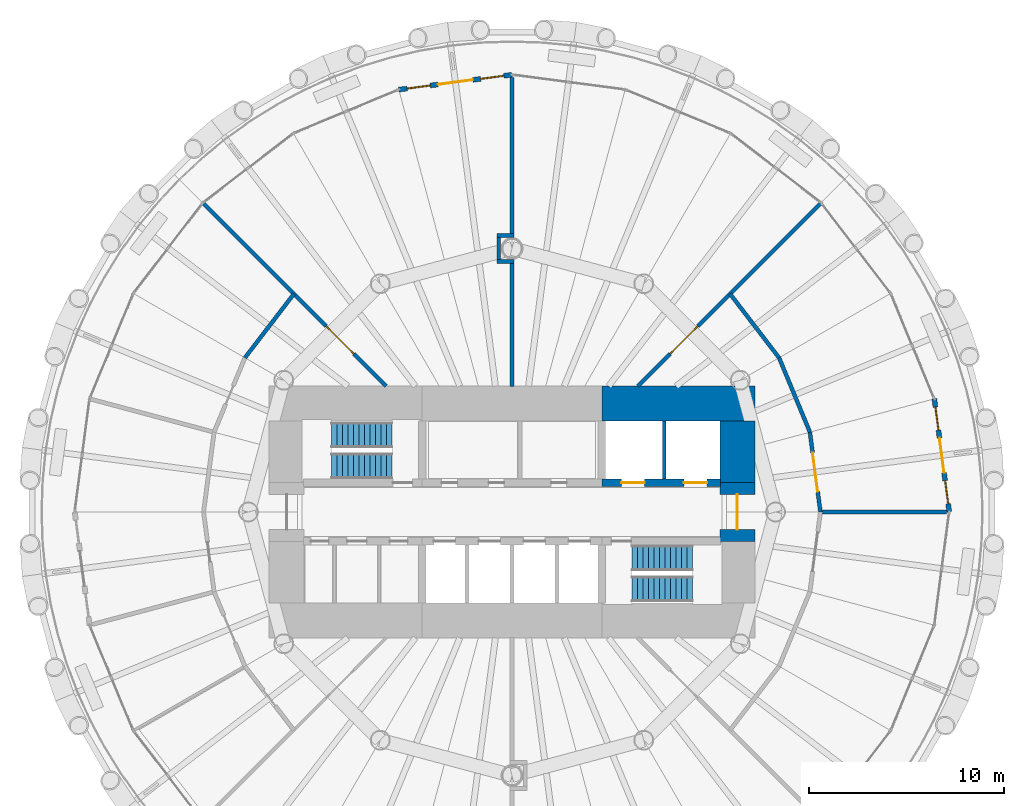
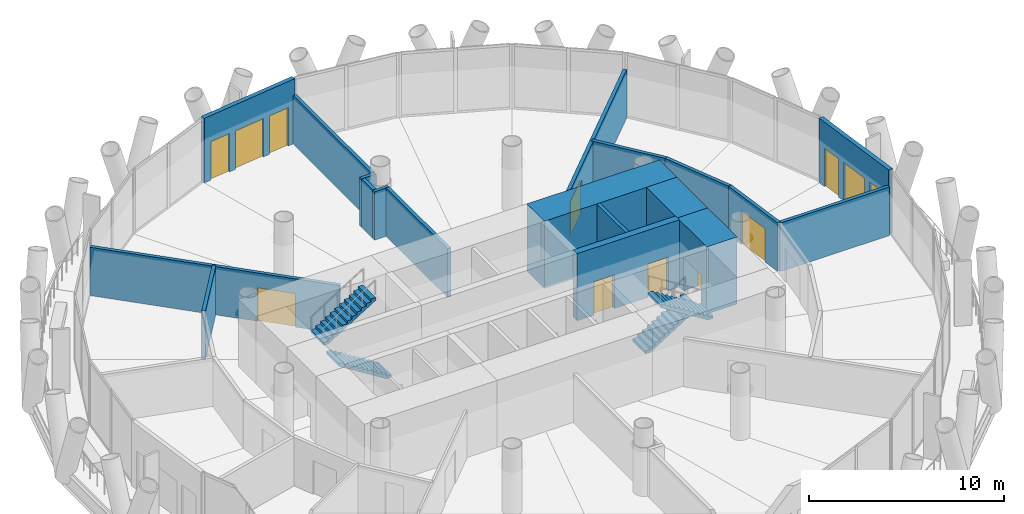
# One storey, part 10 of 14: 19 walls, 8 doors, 4 stair flights, 4 windows, 12 openings, 2 elements without a shape of their own.
"""IFC4 building model written with IfcOpenShell, lengths in metres."""

from ifc_helpers import new_model, si_unit, direction, frame, frame_2d, origin, place, context, subcontext, project, spatial, polyline, rectangle, outline, extrude, material, layer, layer_set, type_object, element, fill, aggregate, save


model = new_model("IFC4")

# Units and contexts
model_context = context("Model", 3, precision=1e-05, world=origin(), true_north=direction((0.0, 1.0)))
body_context = subcontext(model_context, "Body", "Model", "MODEL_VIEW")
ifc_project = project(units=[si_unit("LENGTHUNIT", "METRE"), si_unit("AREAUNIT", "SQUARE_METRE"), si_unit("VOLUMEUNIT", "CUBIC_METRE"), si_unit("PLANEANGLEUNIT", "RADIAN"), si_unit("MASSUNIT", "GRAM", prefix="KILO")], contexts=[model_context])

# Site, building, storey
site_placement = place(None, origin())
site = spatial("IfcSite", under=ifc_project, at=site_placement, CompositionType="ELEMENT")
building_placement = place(site_placement, origin())
building = spatial("IfcBuilding", under=site, at=building_placement, Name="Qaws Media Tower", CompositionType="ELEMENT")
storey_placement = place(building_placement, frame((0.0, 0.0, 152.0)))
storey = spatial("IfcBuildingStorey", under=building, at=storey_placement, Name="L34", CompositionType="ELEMENT", Elevation=152.0)

# Wall, openings, door, windows
ifc_material_1 = material(Name="Precast concrete, exposed finish", Category="concrete")
ifc_layer_1 = layer(ifc_material_1, 0.25)
ifc_layer_set_1 = layer_set([ifc_layer_1], Name="Balcony door wall 250")
wall_type_1 = type_object("IfcWallType", Name="Balcony door wall 250", PredefinedType="SOLIDWALL", material=ifc_layer_set_1)
wall_1_placement = place(storey_placement, frame((82.39990234375, 50.0, 0.0), z_axis=(0.0, 0.0, 1.0), x_axis=(-0.130511752182, 0.991446762334, 0.0)))
wall_1 = element("IfcWall", 1, at=wall_1_placement, inside=storey, type_object=wall_type_1, Name="W201 EW1 balcony door wall L34-01", PredefinedType="SOLIDWALL", context=body_context, shape_type="SweptSolid", body=[
    extrude(rectangle(XDim=5.84765625, YDim=0.25, at=frame_2d((2.923828125, 0.0))), origin(), (0.0, 0.0, 1.0), 4.0400390625),
])
opening_1_placement = place(wall_1_placement, frame((2.023681640625, 0.0, 0.0)))
opening_1 = element("IfcOpeningElement", 2, at=opening_1_placement, cuts=wall_1, Name="Opening D7", PredefinedType="OPENING", context=body_context, shape_type="SweptSolid", body=[
    extrude(rectangle(XDim=1.800048828125, YDim=2.39990234375, at=frame_2d((0.89990234375, 1.199951171875))), frame((0.0, 0.135009765625, 0.0), z_axis=(0.0, -1.0, 0.0), x_axis=(1.0, 0.0, 0.0)), (0.0, 0.0, 1.0), 0.27001953125),
])
opening_2_placement = place(wall_1_placement, frame((0.423828125, 0.0, 0.0)))
opening_2 = element("IfcOpeningElement", 3, at=opening_2_placement, cuts=wall_1, Name="Opening W1", PredefinedType="OPENING", context=body_context, shape_type="SweptSolid", body=[
    extrude(rectangle(XDim=1.199951171875, YDim=2.39990234375, at=frame_2d((0.60009765625, 1.199951171875))), frame((0.0, 0.135009765625, 0.0), z_axis=(0.0, -1.0, 0.0), x_axis=(1.0, 0.0, 0.0)), (0.0, 0.0, 1.0), 0.27001953125),
])
opening_3_placement = place(wall_1_placement, frame((4.223876953125, 0.0, 0.0)))
opening_3 = element("IfcOpeningElement", 4, at=opening_3_placement, cuts=wall_1, Name="Opening W1", PredefinedType="OPENING", context=body_context, shape_type="SweptSolid", body=[
    extrude(rectangle(XDim=1.199951171875, YDim=2.39990234375, at=frame_2d((0.60009765625, 1.199951171875))), frame((0.0, 0.135009765625, 0.0), z_axis=(0.0, -1.0, 0.0), x_axis=(1.0, 0.0, 0.0)), (0.0, 0.0, 1.0), 0.27001953125),
])
ifc_material_2 = material(Name="Aluminium and clear glass", Category="aluminium")
door_type_1 = type_object("IfcDoorType", Name="Balcony door pair 1800", OperationType="DOUBLE_DOOR_SLIDING", PredefinedType="DOOR", material=ifc_material_2)
door_1_placement = place(opening_1_placement, origin())
door_1 = element("IfcDoor", 5, at=door_1_placement, inside=storey, type_object=door_type_1, Name="D7 balcony door L34-01 in wall W201", OperationType="DOUBLE_DOOR_SLIDING", OverallHeight=2.39990234375, OverallWidth=1.800048828125, PredefinedType="DOOR", context=body_context, shape_type="SweptSolid", body=[
    extrude(rectangle(XDim=1.800048828125, YDim=2.39990234375, at=frame_2d((0.89990234375, 1.199951171875))), frame((0.0, 0.02490234375, 0.0), z_axis=(0.0, -1.0, 0.0), x_axis=(1.0, 0.0, 0.0)), (0.0, 0.0, 1.0), 0.050048828125),
])
fill(opening_1, door_1)
ifc_material_3 = material(Name="Aluminium and clear glass", Category="aluminium")
window_type = type_object("IfcWindowType", Name="Balcony side window 1200", PartitioningType="SINGLE_PANEL", PredefinedType="WINDOW", material=ifc_material_3)
window_1_placement = place(opening_2_placement, origin())
window_1 = element("IfcWindow", 6, at=window_1_placement, inside=storey, type_object=window_type, Name="W1 balcony side light L34-01L", OverallHeight=2.39990234375, OverallWidth=1.199951171875, PartitioningType="SINGLE_PANEL", PredefinedType="WINDOW", context=body_context, shape_type="SweptSolid", body=[
    extrude(rectangle(XDim=1.199951171875, YDim=2.39990234375, at=frame_2d((0.60009765625, 1.199951171875))), frame((0.0, 0.030029296875, 0.0), z_axis=(0.0, -1.0, 0.0), x_axis=(1.0, 0.0, 0.0)), (0.0, 0.0, 1.0), 0.06005859375),
])
fill(opening_2, window_1)
window_2_placement = place(opening_3_placement, origin())
window_2 = element("IfcWindow", 7, at=window_2_placement, inside=storey, type_object=window_type, Name="W1 balcony side light L34-01R", OverallHeight=2.39990234375, OverallWidth=1.199951171875, PartitioningType="SINGLE_PANEL", PredefinedType="WINDOW", context=body_context, shape_type="SweptSolid", body=[
    extrude(rectangle(XDim=1.199951171875, YDim=2.39990234375, at=frame_2d((0.60009765625, 1.199951171875))), frame((0.0, 0.030029296875, 0.0), z_axis=(0.0, -1.0, 0.0), x_axis=(1.0, 0.0, 0.0)), (0.0, 0.0, 1.0), 0.06005859375),
])
fill(opening_3, window_2)

wall_2_placement = place(storey_placement, frame((60.0, 72.39990234375, 0.0), z_axis=(0.0, 0.0, 1.0), x_axis=(-0.991446762334, -0.130511752182, 0.0)))
wall_2 = element("IfcWall", 8, at=wall_2_placement, inside=storey, type_object=wall_type_1, Name="W200 EW1 balcony door wall L34-07", PredefinedType="SOLIDWALL", context=body_context, shape_type="SweptSolid", body=[
    extrude(rectangle(XDim=5.84765625, YDim=0.25, at=frame_2d((2.923828125, 0.0))), origin(), (0.0, 0.0, 1.0), 4.0400390625),
])
opening_4_placement = place(wall_2_placement, frame((2.023681640625, 0.0, 0.0)))
opening_4 = element("IfcOpeningElement", 9, at=opening_4_placement, cuts=wall_2, Name="Opening D7", PredefinedType="OPENING", context=body_context, shape_type="SweptSolid", body=[
    extrude(rectangle(XDim=1.800048828125, YDim=2.39990234375, at=frame_2d((0.89990234375, 1.199951171875))), frame((0.0, 0.135009765625, 0.0), z_axis=(0.0, -1.0, 0.0), x_axis=(1.0, 0.0, 0.0)), (0.0, 0.0, 1.0), 0.27001953125),
])
opening_5_placement = place(wall_2_placement, frame((0.423828125, 0.0, 0.0)))
opening_5 = element("IfcOpeningElement", 10, at=opening_5_placement, cuts=wall_2, Name="Opening W1", PredefinedType="OPENING", context=body_context, shape_type="SweptSolid", body=[
    extrude(rectangle(XDim=1.199951171875, YDim=2.39990234375, at=frame_2d((0.60009765625, 1.199951171875))), frame((0.0, 0.135009765625, 0.0), z_axis=(0.0, -1.0, 0.0), x_axis=(1.0, 0.0, 0.0)), (0.0, 0.0, 1.0), 0.27001953125),
])
opening_6_placement = place(wall_2_placement, frame((4.223876953125, 0.0, 0.0)))
opening_6 = element("IfcOpeningElement", 11, at=opening_6_placement, cuts=wall_2, Name="Opening W1", PredefinedType="OPENING", context=body_context, shape_type="SweptSolid", body=[
    extrude(rectangle(XDim=1.199951171875, YDim=2.39990234375, at=frame_2d((0.60009765625, 1.199951171875))), frame((0.0, 0.135009765625, 0.0), z_axis=(0.0, -1.0, 0.0), x_axis=(1.0, 0.0, 0.0)), (0.0, 0.0, 1.0), 0.27001953125),
])
door_2_placement = place(opening_4_placement, origin())
door_2 = element("IfcDoor", 12, at=door_2_placement, inside=storey, type_object=door_type_1, Name="D7 balcony door L34-07 in wall W200", OperationType="DOUBLE_DOOR_SLIDING", OverallHeight=2.39990234375, OverallWidth=1.800048828125, PredefinedType="DOOR", context=body_context, shape_type="SweptSolid", body=[
    extrude(rectangle(XDim=1.800048828125, YDim=2.39990234375, at=frame_2d((0.89990234375, 1.199951171875))), frame((0.0, 0.02490234375, 0.0), z_axis=(0.0, -1.0, 0.0), x_axis=(1.0, 0.0, 0.0)), (0.0, 0.0, 1.0), 0.050048828125),
])
fill(opening_4, door_2)
window_3_placement = place(opening_5_placement, origin())
window_3 = element("IfcWindow", 13, at=window_3_placement, inside=storey, type_object=window_type, Name="W1 balcony side light L34-07L", OverallHeight=2.39990234375, OverallWidth=1.199951171875, PartitioningType="SINGLE_PANEL", PredefinedType="WINDOW", context=body_context, shape_type="SweptSolid", body=[
    extrude(rectangle(XDim=1.199951171875, YDim=2.39990234375, at=frame_2d((0.60009765625, 1.199951171875))), frame((0.0, 0.030029296875, 0.0), z_axis=(0.0, -1.0, 0.0), x_axis=(1.0, 0.0, 0.0)), (0.0, 0.0, 1.0), 0.06005859375),
])
fill(opening_5, window_3)
window_4_placement = place(opening_6_placement, origin())
window_4 = element("IfcWindow", 14, at=window_4_placement, inside=storey, type_object=window_type, Name="W1 balcony side light L34-07R", OverallHeight=2.39990234375, OverallWidth=1.199951171875, PartitioningType="SINGLE_PANEL", PredefinedType="WINDOW", context=body_context, shape_type="SweptSolid", body=[
    extrude(rectangle(XDim=1.199951171875, YDim=2.39990234375, at=frame_2d((0.60009765625, 1.199951171875))), frame((0.0, 0.030029296875, 0.0), z_axis=(0.0, -1.0, 0.0), x_axis=(1.0, 0.0, 0.0)), (0.0, 0.0, 1.0), 0.06005859375),
])
fill(opening_6, window_4)

# Wall, openings, doors
ifc_material_4 = material(Name="Concrete C60/75", Category="concrete")
ifc_layer_2 = layer(ifc_material_4, 0.39990234375)
ifc_layer_set_2 = layer_set([ifc_layer_2], Name="Core inner wall 400")
wall_type_2 = type_object("IfcWallType", Name="Core inner wall 400", PredefinedType="SHEAR", material=ifc_layer_set_2)
wall_3_placement = place(storey_placement, frame((64.60009765625, 51.5, 0.0), z_axis=(0.0, 0.0, 1.0), x_axis=(1.0, 0.0, 0.0)))
wall_3 = element("IfcWall", 15, at=wall_3_placement, inside=storey, type_object=wall_type_2, Name="W326 SW4 core wall SPNE L34", PredefinedType="SHEAR", context=body_context, shape_type="SweptSolid", body=[
    extrude(rectangle(XDim=6.06982421875, YDim=0.39990234375, at=frame_2d((3.034912109375, 0.0))), origin(), (0.0, 0.0, 1.0), 4.199951171875),
])
opening_7_placement = place(wall_3_placement, frame((1.0, 0.0, 0.0)))
opening_7 = element("IfcOpeningElement", 16, at=opening_7_placement, cuts=wall_3, Name="Opening LD2", PredefinedType="OPENING", context=body_context, shape_type="SweptSolid", body=[
    extrude(rectangle(XDim=1.199951171875, YDim=2.10009765625, at=frame_2d((0.60009765625, 1.050048828125))), frame((0.0, 0.2099609375, 0.0), z_axis=(0.0, -1.0, 0.0), x_axis=(1.0, 0.0, 0.0)), (0.0, 0.0, 1.0), 0.419921875),
])
opening_8_placement = place(wall_3_placement, frame((4.199951171875, 0.0, 0.0)))
opening_8 = element("IfcOpeningElement", 17, at=opening_8_placement, cuts=wall_3, Name="Opening LD2", PredefinedType="OPENING", context=body_context, shape_type="SweptSolid", body=[
    extrude(rectangle(XDim=1.199951171875, YDim=2.10009765625, at=frame_2d((0.60009765625, 1.050048828125))), frame((0.0, 0.2099609375, 0.0), z_axis=(0.0, -1.0, 0.0), x_axis=(1.0, 0.0, 0.0)), (0.0, 0.0, 1.0), 0.419921875),
])
ifc_material_5 = material(Name="Steel, fire rated", Category="steel")
door_type_2 = type_object("IfcDoorType", Name="Lift landing door 1200", OperationType="SLIDING_TO_LEFT", PredefinedType="DOOR", material=ifc_material_5)
door_3_placement = place(opening_7_placement, origin())
door_3 = element("IfcDoor", 18, at=door_3_placement, inside=storey, type_object=door_type_2, Name="FL1 landing door L34 in wall W326", OperationType="SLIDING_TO_LEFT", OverallHeight=2.10009765625, OverallWidth=1.199951171875, PredefinedType="DOOR", context=body_context, shape_type="SweptSolid", body=[
    extrude(rectangle(XDim=1.199951171875, YDim=2.10009765625, at=frame_2d((0.60009765625, 1.050048828125))), frame((0.0, 0.02490234375, 0.0), z_axis=(0.0, -1.0, 0.0), x_axis=(1.0, 0.0, 0.0)), (0.0, 0.0, 1.0), 0.050048828125),
])
fill(opening_7, door_3)
door_4_placement = place(opening_8_placement, origin())
door_4 = element("IfcDoor", 19, at=door_4_placement, inside=storey, type_object=door_type_2, Name="FL2 landing door L34 in wall W326", OperationType="SLIDING_TO_LEFT", OverallHeight=2.10009765625, OverallWidth=1.199951171875, PredefinedType="DOOR", context=body_context, shape_type="SweptSolid", body=[
    extrude(rectangle(XDim=1.199951171875, YDim=2.10009765625, at=frame_2d((0.60009765625, 1.050048828125))), frame((0.0, 0.02490234375, 0.0), z_axis=(0.0, -1.0, 0.0), x_axis=(1.0, 0.0, 0.0)), (0.0, 0.0, 1.0), 0.050048828125),
])
fill(opening_8, door_4)

# Wall
ifc_material_6 = material(Name="Concrete C60/75", Category="concrete")
ifc_layer_3 = layer(ifc_material_6, 1.800048828125)
ifc_layer_set_3 = layer_set([ifc_layer_3], Name="Core wall 1800")
wall_type_3 = type_object("IfcWallType", Name="Core wall 1800", PredefinedType="SHEAR", material=ifc_layer_set_3)
wall_4_placement = place(storey_placement, frame((64.60009765625, 55.550048828125, 0.0), z_axis=(0.0, 0.0, 1.0), x_axis=(1.0, 0.0, 0.0)))
element("IfcWall", 20, at=wall_4_placement, inside=storey, type_object=wall_type_3, Name="W423 SW11 core wall NE L34", PredefinedType="SHEAR", context=body_context, shape_type="SweptSolid", body=[
    extrude(rectangle(XDim=7.849853515625, YDim=1.800048828125, at=frame_2d((3.9248046875, 0.0))), origin(), (0.0, 0.0, 1.0), 4.199951171875),
])

# Wall, opening, door
wall_5_placement = place(storey_placement, frame((71.550048828125, 48.5, 0.0), z_axis=(0.0, 0.0, 1.0), x_axis=(0.0, 1.0, 0.0)))
wall_5 = element("IfcWall", 21, at=wall_5_placement, inside=storey, type_object=wall_type_3, Name="W427 SW11 core wall E L34", PredefinedType="SHEAR", context=body_context, shape_type="SweptSolid", body=[
    extrude(rectangle(XDim=3.0, YDim=1.800048828125, at=frame_2d((1.5, 0.0))), origin(), (0.0, 0.0, 1.0), 4.199951171875),
])
opening_9_placement = place(wall_5_placement, frame((0.60009765625, 0.0, 0.0)))
opening_9 = element("IfcOpeningElement", 22, at=opening_9_placement, cuts=wall_5, Name="Opening D2", PredefinedType="OPENING", context=body_context, shape_type="SweptSolid", body=[
    extrude(rectangle(XDim=1.800048828125, YDim=2.10009765625, at=frame_2d((0.89990234375, 1.050048828125))), frame((0.0, 0.909912109375, 0.0), z_axis=(0.0, -1.0, 0.0), x_axis=(1.0, 0.0, 0.0)), (0.0, 0.0, 1.0), 1.820068359375),
])
ifc_material_7 = material(Name="Steel and glass, fire rated", Category="steel")
door_type_3 = type_object("IfcDoorType", Name="Lobby door pair 1800 FD60", OperationType="DOUBLE_DOOR_DOUBLE_SWING", PredefinedType="DOOR", material=ifc_material_7)
door_5_placement = place(opening_9_placement, origin())
door_5 = element("IfcDoor", 23, at=door_5_placement, inside=storey, type_object=door_type_3, Name="D2 core lobby door E L34 in wall W427", OperationType="DOUBLE_DOOR_DOUBLE_SWING", OverallHeight=2.10009765625, OverallWidth=1.800048828125, PredefinedType="DOOR", context=body_context, shape_type="SweptSolid", body=[
    extrude(rectangle(XDim=1.800048828125, YDim=2.10009765625, at=frame_2d((0.89990234375, 1.050048828125))), frame((0.0, 0.02490234375, 0.0), z_axis=(0.0, -1.0, 0.0), x_axis=(1.0, 0.0, 0.0)), (0.0, 0.0, 1.0), 0.050048828125),
])
fill(opening_9, door_5)

# Walls
wall_6_placement = place(storey_placement, frame((71.550048828125, 51.5, 0.0), z_axis=(0.0, 0.0, 1.0), x_axis=(0.0, 1.0, 0.0)))
element("IfcWall", 24, at=wall_6_placement, inside=storey, type_object=wall_type_3, Name="W425 SW11 core wall EN L34", PredefinedType="SHEAR", context=body_context, shape_type="SweptSolid", body=[
    extrude(rectangle(XDim=3.169921875, YDim=1.800048828125, at=frame_2d((1.5849609375, 0.0))), origin(), (0.0, 0.0, 1.0), 4.199951171875),
])
ifc_material_8 = material(Name="Gypsum board on galvanised metal studs, acoustic double stud, deflection head", Category="gypsum")
ifc_layer_4 = layer(ifc_material_8, 0.199951171875)
ifc_layer_set_4 = layer_set([ifc_layer_4], Name="Room partition 200")
wall_type_4 = type_object("IfcWallType", Name="Room partition 200", PredefinedType="PARTITIONING", material=ifc_layer_set_4)
for number, where, z_axis, x_axis, name in (
    (25, (46.31689453125, 57.89990234375, 0.0), (0.0, 0.0, 1.0), (0.608714823874, 0.793389099494, 0.0), "W947 IW3 partition L34"),
    (26, (71.17236328125, 61.17236328125, 0.0), (0.0, 0.0, 1.0), (0.608714823874, -0.793389099494, 0.0), "W953 IW3 partition L34"),
):
    element("IfcWall", number, at=place(storey_placement, frame(where, z_axis=z_axis, x_axis=x_axis)), inside=storey, type_object=wall_type_4, Name=name, PredefinedType="PARTITIONING", context=body_context, shape_type="SweptSolid", body=[
        extrude(rectangle(XDim=4.124755859375, YDim=0.199951171875, at=frame_2d((2.0625, 0.0))), origin(), (0.0, 0.0, 1.0), 3.0400390625),
    ])
wall_7_placement = place(storey_placement, frame((73.68310546875, 57.89990234375, 0.0), z_axis=(0.0, 0.0, 1.0), x_axis=(0.382731667114, -0.923859551549, 0.0)))
element("IfcWall", 27, at=wall_7_placement, inside=storey, type_object=wall_type_4, Name="W956 IW3 partition L34", PredefinedType="PARTITIONING", context=body_context, shape_type="SweptSolid", body=[
    extrude(rectangle(XDim=4.12451171875, YDim=0.199951171875, at=frame_2d((2.062255859375, 0.0))), origin(), (0.0, 0.0, 1.0), 3.0400390625),
])

# Wall, opening, door
wall_8_placement = place(storey_placement, frame((75.26171875, 54.08935546875, 0.0), z_axis=(0.0, 0.0, 1.0), x_axis=(0.130515758099, -0.991446234996, 0.0)))
wall_8 = element("IfcWall", 28, at=wall_8_placement, inside=storey, type_object=wall_type_4, Name="W958 IW3 partition L34", PredefinedType="PARTITIONING", context=body_context, shape_type="SweptSolid", body=[
    extrude(rectangle(XDim=4.124755859375, YDim=0.199951171875, at=frame_2d((2.0625, 0.0))), origin(), (0.0, 0.0, 1.0), 3.0400390625),
])
opening_10_placement = place(wall_8_placement, frame((1.062255859375, 0.0, 0.0)))
opening_10 = element("IfcOpeningElement", 29, at=opening_10_placement, cuts=wall_8, Name="Opening D6", PredefinedType="OPENING", context=body_context, shape_type="SweptSolid", body=[
    extrude(rectangle(XDim=2.0, YDim=2.10009765625, at=frame_2d((1.0, 1.050048828125))), frame((0.0, 0.10986328125, 0.0), z_axis=(0.0, -1.0, 0.0), x_axis=(1.0, 0.0, 0.0)), (0.0, 0.0, 1.0), 0.219970703125),
])
ifc_material_9 = material(Name="Steel, acoustic, fire rated", Category="steel")
door_type_4 = type_object("IfcDoorType", Name="Room door pair 2000", OperationType="DOUBLE_DOOR_DOUBLE_SWING", PredefinedType="DOOR", material=ifc_material_9)
door_6_placement = place(opening_10_placement, origin())
door_6 = element("IfcDoor", 30, at=door_6_placement, inside=storey, type_object=door_type_4, Name="D6 IT office door L34 in wall W958", OperationType="DOUBLE_DOOR_DOUBLE_SWING", OverallHeight=2.10009765625, OverallWidth=2.0, PredefinedType="DOOR", context=body_context, shape_type="SweptSolid", body=[
    extrude(rectangle(XDim=2.0, YDim=2.10009765625, at=frame_2d((1.0, 1.050048828125))), frame((0.0, 0.02490234375, 0.0), z_axis=(0.0, -1.0, 0.0), x_axis=(1.0, 0.0, 0.0)), (0.0, 0.0, 1.0), 0.050048828125),
])
fill(opening_10, door_6)

# Wall
wall_9_placement = place(storey_placement, frame((75.800048828125, 50.0, 0.0), z_axis=(0.0, 0.0, 1.0), x_axis=(1.0, 0.0, 0.0)))
element("IfcWall", 31, at=wall_9_placement, inside=storey, type_object=wall_type_4, Name="W1333 IW3 partition L34", PredefinedType="PARTITIONING", context=body_context, shape_type="SweptSolid", body=[
    extrude(rectangle(XDim=6.4599609375, YDim=0.199951171875, at=frame_2d((3.22998046875, 0.0))), origin(), (0.0, 0.0, 1.0), 3.0400390625),
])

# Wall, opening, door
wall_10_placement = place(storey_placement, frame((66.449951171875, 56.449951171875, 0.0), z_axis=(0.0, 0.0, 1.0), x_axis=(0.707106781187, 0.707106781187, 0.0)))
wall_10 = element("IfcWall", 32, at=wall_10_placement, inside=storey, type_object=wall_type_4, Name="W1332 IW3 partition L34", PredefinedType="PARTITIONING", context=body_context, shape_type="SweptSolid", body=[
    extrude(rectangle(XDim=13.23828125, YDim=0.199951171875, at=frame_2d((6.619140625, 0.0))), origin(), (0.0, 0.0, 1.0), 3.02001953125),
])
opening_11_placement = place(wall_10_placement, frame((2.339111328125, 0.0, 0.0)))
opening_11 = element("IfcOpeningElement", 33, at=opening_11_placement, cuts=wall_10, Name="Opening D6", PredefinedType="OPENING", context=body_context, shape_type="SweptSolid", body=[
    extrude(rectangle(XDim=2.0, YDim=2.10009765625, at=frame_2d((1.0, 1.050048828125))), frame((0.0, 0.10986328125, 0.0), z_axis=(0.0, -1.0, 0.0), x_axis=(1.0, 0.0, 0.0)), (0.0, 0.0, 1.0), 0.219970703125),
])
door_7_placement = place(opening_11_placement, origin())
door_7 = element("IfcDoor", 34, at=door_7_placement, inside=storey, type_object=door_type_4, Name="D6 IT open office door L34 in wall W1332", OperationType="DOUBLE_DOOR_DOUBLE_SWING", OverallHeight=2.10009765625, OverallWidth=2.0, PredefinedType="DOOR", context=body_context, shape_type="SweptSolid", body=[
    extrude(rectangle(XDim=2.0, YDim=2.10009765625, at=frame_2d((1.0, 1.050048828125))), frame((0.0, 0.02490234375, 0.0), z_axis=(0.0, -1.0, 0.0), x_axis=(1.0, 0.0, 0.0)), (0.0, 0.0, 1.0), 0.050048828125),
])
fill(opening_11, door_7)

# Walls
for number, where, z_axis, x_axis, name in (
    (35, (60.10009765625, 62.83203125, 0.0), (0.0, 0.0, 1.0), (-1.0, 0.0, 0.0), "W1320 IW3 partition return L34"),
    (36, (60.10009765625, 64.16796875, 0.0), (0.0, 0.0, 1.0), (-1.0, 0.0, 0.0), "W1321 IW3 partition return L34"),
):
    element("IfcWall", number, at=place(storey_placement, frame(where, z_axis=z_axis, x_axis=x_axis)), inside=storey, type_object=wall_type_4, Name=name, PredefinedType="PARTITIONING", context=body_context, shape_type="SweptSolid", body=[
        extrude(rectangle(XDim=0.878173828125, YDim=0.199951171875, at=frame_2d((0.43896484375, 0.0))), origin(), (0.0, 0.0, 1.0), 3.02001953125),
    ])
wall_11_placement = place(storey_placement, frame((59.322021484375, 62.931884765625, 0.0), z_axis=(0.0, 0.0, 1.0), x_axis=(0.0, 1.0, 0.0)))
element("IfcWall", 37, at=wall_11_placement, inside=storey, type_object=wall_type_4, Name="W1316 IW3 partition return L34", PredefinedType="PARTITIONING", context=body_context, shape_type="SweptSolid", body=[
    extrude(rectangle(XDim=1.13623046875, YDim=0.199951171875, at=frame_2d((0.568115234375, 0.0))), origin(), (0.0, 0.0, 1.0), 3.02001953125),
])
wall_12_placement = place(storey_placement, frame((60.0, 56.43994140625, 0.0), z_axis=(0.0, 0.0, 1.0), x_axis=(0.0, 1.0, 0.0)))
element("IfcWall", 38, at=wall_12_placement, inside=storey, type_object=wall_type_4, Name="W1318 IW3 partition L34", PredefinedType="PARTITIONING", context=body_context, shape_type="SweptSolid", body=[
    extrude(rectangle(XDim=6.2919921875, YDim=0.199951171875, at=frame_2d((3.14599609375, 0.0))), origin(), (0.0, 0.0, 1.0), 3.0400390625),
])
wall_13_placement = place(storey_placement, frame((60.0, 64.26806640625, 0.0), z_axis=(0.0, 0.0, 1.0), x_axis=(0.0, 1.0, 0.0)))
element("IfcWall", 39, at=wall_13_placement, inside=storey, type_object=wall_type_4, Name="W1330 IW3 partition L34", PredefinedType="PARTITIONING", context=body_context, shape_type="SweptSolid", body=[
    extrude(rectangle(XDim=7.991943359375, YDim=0.199951171875, at=frame_2d((3.99609375, 0.0))), origin(), (0.0, 0.0, 1.0), 3.0400390625),
])

# Wall, opening, door
wall_14_placement = place(storey_placement, frame((53.550048828125, 56.449951171875, 0.0), z_axis=(0.0, 0.0, 1.0), x_axis=(-0.707106781187, 0.707106781187, 0.0)))
wall_14 = element("IfcWall", 40, at=wall_14_placement, inside=storey, type_object=wall_type_4, Name="W1328 IW3 partition L34", PredefinedType="PARTITIONING", context=body_context, shape_type="SweptSolid", body=[
    extrude(rectangle(XDim=13.23828125, YDim=0.199951171875, at=frame_2d((6.619140625, 0.0))), origin(), (0.0, 0.0, 1.0), 3.02001953125),
])
opening_12_placement = place(wall_14_placement, frame((2.339111328125, 0.0, 0.0)))
opening_12 = element("IfcOpeningElement", 41, at=opening_12_placement, cuts=wall_14, Name="Opening D6", PredefinedType="OPENING", context=body_context, shape_type="SweptSolid", body=[
    extrude(rectangle(XDim=2.0, YDim=2.10009765625, at=frame_2d((1.0, 1.050048828125))), frame((0.0, 0.10986328125, 0.0), z_axis=(0.0, -1.0, 0.0), x_axis=(1.0, 0.0, 0.0)), (0.0, 0.0, 1.0), 0.219970703125),
])
door_8_placement = place(opening_12_placement, origin())
door_8 = element("IfcDoor", 42, at=door_8_placement, inside=storey, type_object=door_type_4, Name="D6 Network operations room door L34 in wall W1328", OperationType="DOUBLE_DOOR_DOUBLE_SWING", OverallHeight=2.10009765625, OverallWidth=2.0, PredefinedType="DOOR", context=body_context, shape_type="SweptSolid", body=[
    extrude(rectangle(XDim=2.0, YDim=2.10009765625, at=frame_2d((1.0, 1.050048828125))), frame((0.0, 0.02490234375, 0.0), z_axis=(0.0, -1.0, 0.0), x_axis=(1.0, 0.0, 0.0)), (0.0, 0.0, 1.0), 0.050048828125),
])
fill(opening_12, door_8)

# Wall
ifc_material_10 = material(Name="Fire-rated gypsum board shaft wall on galvanised metal studs, deflection head", Category="gypsum")
ifc_layer_5 = layer(ifc_material_10, 0.199951171875)
ifc_layer_set_5 = layer_set([ifc_layer_5], Name="Shaft wall 200")
wall_type_5 = type_object("IfcWallType", Name="Shaft wall 200", PredefinedType="PARTITIONING", material=ifc_layer_set_5)
wall_15_placement = place(storey_placement, frame((67.800048828125, 51.699951171875, 0.0), z_axis=(0.0, 0.0, 1.0), x_axis=(0.0, 1.0, 0.0)))
element("IfcWall", 43, at=wall_15_placement, inside=storey, type_object=wall_type_5, Name="W1863 IW1 shaft wall FL L34", PredefinedType="PARTITIONING", context=body_context, shape_type="SweptSolid", body=[
    extrude(rectangle(XDim=2.949951171875, YDim=0.199951171875, at=frame_2d((1.47509765625, 0.0))), origin(), (0.0, 0.0, 1.0), 4.199951171875),
])

# Stair, stair flights
ifc_material_11 = material(Name="Concrete C40/50", Category="concrete")
stair_type = type_object("IfcStairType", Name="Exit stair", PredefinedType="HALF_TURN_STAIR", material=ifc_material_11)
stair_1_placement = place(storey_placement, origin())
stair_1 = element("IfcStair", 44, at=stair_1_placement, inside=storey, type_object=stair_type, Name="S1 exit stair L34", PredefinedType="HALF_TURN_STAIR")
ifc_material_12 = material(Name="Concrete C40/50", Category="concrete")
stair_flight_type = type_object("IfcStairFlightType", Name="Stair flight 1310", PredefinedType="STRAIGHT", material=ifc_material_12)
stair_flight_1_placement = place(storey_placement, frame((53.840087890625, 52.35498046875, 0.0), z_axis=(0.0, 0.0, 1.0), x_axis=(-1.0, 0.0, 0.0)))
stair_flight_1 = element("IfcStairFlight", 45, at=stair_flight_1_placement, type_object=stair_flight_type, Name="S1 flight 1", NumberOfRisers=12, NumberOfTreads=11, PredefinedType="STRAIGHT", RiserHeight=0.175, TreadLength=0.28, context=body_context, shape_type="SweptSolid", body=[
    extrude(outline(polyline([(0.0, 0.0), (0.0, 0.175048828125), (0.280029296875, 0.175048828125), (0.280029296875, 0.35009765625), (0.56005859375, 0.35009765625), (0.56005859375, 0.52490234375), (0.840087890625, 0.52490234375), (0.840087890625, 0.699951171875), (1.1201171875, 0.699951171875), (1.1201171875, 0.875), (1.39990234375, 0.875), (1.39990234375, 1.050048828125), (1.679931640625, 1.050048828125), (1.679931640625, 1.22509765625), (1.9599609375, 1.22509765625), (1.9599609375, 1.39990234375), (2.239990234375, 1.39990234375), (2.239990234375, 1.574951171875), (2.52001953125, 1.574951171875), (2.52001953125, 1.75), (2.800048828125, 1.75), (2.800048828125, 1.925048828125), (3.080078125, 1.925048828125), (3.080078125, 2.10009765625), (3.080078125, 1.748291015625), (0.28271484375, 0.0), (0.0, 0.0)])), frame((0.0, 0.655029296875, 0.0), z_axis=(0.0, -1.0, 0.0), x_axis=(1.0, 0.0, 0.0)), (0.0, 0.0, 1.0), 1.31005859375),
])
stair_flight_2_placement = place(storey_placement, frame((50.760009765625, 53.945068359375, 2.10009765625), z_axis=(0.0, 0.0, 1.0), x_axis=(1.0, 0.0, 0.0)))
stair_flight_2 = element("IfcStairFlight", 46, at=stair_flight_2_placement, type_object=stair_flight_type, Name="S1 flight 2", NumberOfRisers=12, NumberOfTreads=11, PredefinedType="STRAIGHT", RiserHeight=0.175, TreadLength=0.28, context=body_context, shape_type="SweptSolid", body=[
    extrude(outline(polyline([(0.0, 0.0), (0.0, 0.175048828125), (0.280029296875, 0.175048828125), (0.280029296875, 0.35009765625), (0.56005859375, 0.35009765625), (0.56005859375, 0.52490234375), (0.840087890625, 0.52490234375), (0.840087890625, 0.699951171875), (1.1201171875, 0.699951171875), (1.1201171875, 0.875), (1.39990234375, 0.875), (1.39990234375, 1.050048828125), (1.679931640625, 1.050048828125), (1.679931640625, 1.22509765625), (1.9599609375, 1.22509765625), (1.9599609375, 1.39990234375), (2.239990234375, 1.39990234375), (2.239990234375, 1.574951171875), (2.52001953125, 1.574951171875), (2.52001953125, 1.75), (2.800048828125, 1.75), (2.800048828125, 1.925048828125), (3.080078125, 1.925048828125), (3.080078125, 2.10009765625), (3.080078125, 1.748291015625), (0.28271484375, 0.0), (0.0, 0.0)])), frame((0.0, 0.655029296875, 0.0), z_axis=(0.0, -1.0, 0.0), x_axis=(1.0, 0.0, 0.0)), (0.0, 0.0, 1.0), 1.31005859375),
])
aggregate(stair_1, [stair_flight_1, stair_flight_2])

stair_2_placement = place(storey_placement, origin())
stair_2 = element("IfcStair", 47, at=stair_2_placement, inside=storey, type_object=stair_type, Name="S2 exit stair L34", PredefinedType="HALF_TURN_STAIR")
stair_flight_3_placement = place(storey_placement, frame((66.159912109375, 47.64501953125, 0.0), z_axis=(0.0, 0.0, 1.0), x_axis=(1.0, 0.0, 0.0)))
stair_flight_3 = element("IfcStairFlight", 48, at=stair_flight_3_placement, type_object=stair_flight_type, Name="S2 flight 1", NumberOfRisers=12, NumberOfTreads=11, PredefinedType="STRAIGHT", RiserHeight=0.175, TreadLength=0.28, context=body_context, shape_type="SweptSolid", body=[
    extrude(outline(polyline([(0.0, 0.0), (0.0, 0.175048828125), (0.280029296875, 0.175048828125), (0.280029296875, 0.35009765625), (0.56005859375, 0.35009765625), (0.56005859375, 0.52490234375), (0.840087890625, 0.52490234375), (0.840087890625, 0.699951171875), (1.1201171875, 0.699951171875), (1.1201171875, 0.875), (1.39990234375, 0.875), (1.39990234375, 1.050048828125), (1.679931640625, 1.050048828125), (1.679931640625, 1.22509765625), (1.9599609375, 1.22509765625), (1.9599609375, 1.39990234375), (2.239990234375, 1.39990234375), (2.239990234375, 1.574951171875), (2.52001953125, 1.574951171875), (2.52001953125, 1.75), (2.800048828125, 1.75), (2.800048828125, 1.925048828125), (3.080078125, 1.925048828125), (3.080078125, 2.10009765625), (3.080078125, 1.748291015625), (0.28271484375, 0.0), (0.0, 0.0)])), frame((0.0, 0.655029296875, 0.0), z_axis=(0.0, -1.0, 0.0), x_axis=(1.0, 0.0, 0.0)), (0.0, 0.0, 1.0), 1.31005859375),
])
stair_flight_4_placement = place(storey_placement, frame((69.239990234375, 46.054931640625, 2.10009765625), z_axis=(0.0, 0.0, 1.0), x_axis=(-1.0, 0.0, 0.0)))
stair_flight_4 = element("IfcStairFlight", 49, at=stair_flight_4_placement, type_object=stair_flight_type, Name="S2 flight 2", NumberOfRisers=12, NumberOfTreads=11, PredefinedType="STRAIGHT", RiserHeight=0.175, TreadLength=0.28, context=body_context, shape_type="SweptSolid", body=[
    extrude(outline(polyline([(0.0, 0.0), (0.0, 0.175048828125), (0.280029296875, 0.175048828125), (0.280029296875, 0.35009765625), (0.56005859375, 0.35009765625), (0.56005859375, 0.52490234375), (0.840087890625, 0.52490234375), (0.840087890625, 0.699951171875), (1.1201171875, 0.699951171875), (1.1201171875, 0.875), (1.39990234375, 0.875), (1.39990234375, 1.050048828125), (1.679931640625, 1.050048828125), (1.679931640625, 1.22509765625), (1.9599609375, 1.22509765625), (1.9599609375, 1.39990234375), (2.239990234375, 1.39990234375), (2.239990234375, 1.574951171875), (2.52001953125, 1.574951171875), (2.52001953125, 1.75), (2.800048828125, 1.75), (2.800048828125, 1.925048828125), (3.080078125, 1.925048828125), (3.080078125, 2.10009765625), (3.080078125, 1.748291015625), (0.28271484375, 0.0), (0.0, 0.0)])), frame((0.0, 0.655029296875, 0.0), z_axis=(0.0, -1.0, 0.0), x_axis=(1.0, 0.0, 0.0)), (0.0, 0.0, 1.0), 1.31005859375),
])
aggregate(stair_2, [stair_flight_3, stair_flight_4])

save(model, "model.ifc")
